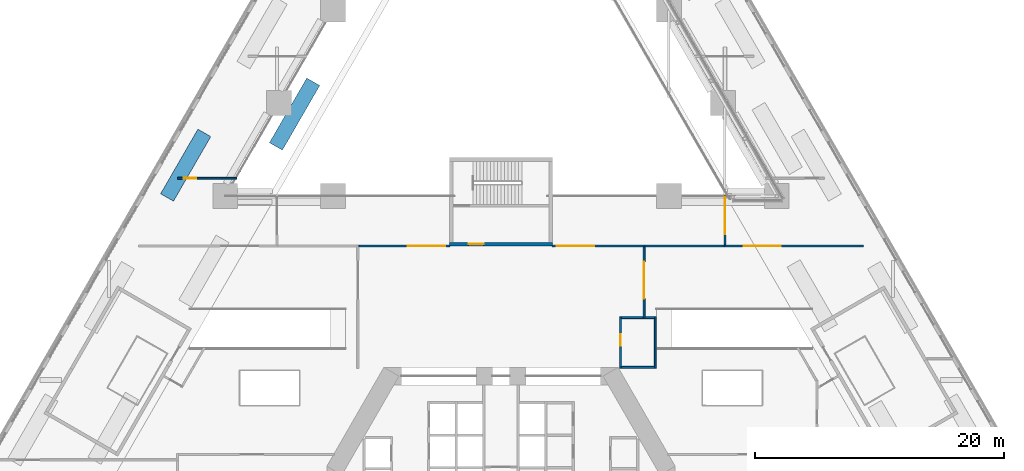
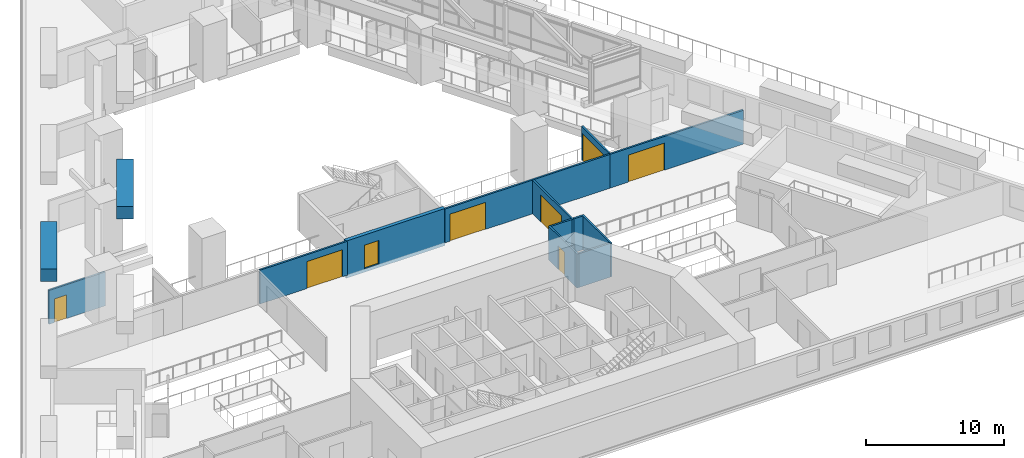
# One storey, part 10 of 19: 15 walls, 8 doors, 8 openings.
"""IFC4 building model written with IfcOpenShell, lengths in metres."""

import ifcopenshell
import ifcopenshell.guid

model = None  # the IFC model being written
_history = None  # IfcOwnerHistory: only IFC2X3 demands one
_inside = {}  # id of a spatial element -> (the spatial element, [elements in it])
_under = {}  # id of a project, library or spatial element -> (it, [spatial elements below it])
_declared = {}  # id of a project -> (the project, [libraries it declares])
_typed = {}  # id of a type object -> (the type object, [elements of that type])
_made_of = {}  # id of a material, layer set ... -> (it, [elements and type objects made of it])


def new_model(schema):
    """Start an empty IFC model of exactly this schema.

    Asked for "IFC4X3", IfcOpenShell would pick the latest addendum, in which some entities
    have other attributes; the version numbers below select the first issue.
    IFC2X3 requires an IfcOwnerHistory on every rooted entity: one is made here for all.
    """
    global model, _history
    if schema == "IFC4X3":
        model = ifcopenshell.file(schema_version=(4, 3, 0, 0))
    else:
        model = ifcopenshell.file(schema=schema)
    _inside.clear()
    _under.clear()
    _declared.clear()
    _typed.clear()
    _made_of.clear()
    _history = None
    if model.schema == "IFC2X3":
        org = make("IfcOrganization", Name="unknown")
        user = make(
            "IfcPersonAndOrganization",
            ThePerson=make("IfcPerson", FamilyName="unknown"),
            TheOrganization=org,
        )
        app = make(
            "IfcApplication",
            ApplicationDeveloper=org,
            Version="unknown",
            ApplicationFullName="unknown",
            ApplicationIdentifier="unknown",
        )
        _history = make(
            "IfcOwnerHistory",
            OwningUser=user,
            OwningApplication=app,
            ChangeAction="ADDED",
            CreationDate=0,
        )
    return model


def make(cls, **values):
    """One entity of the class cls with the attributes given. An attribute that is None is left unset."""
    return model.create_entity(
        cls, **{name: value for name, value in values.items() if value is not None}
    )


def rooted(cls, **values):
    """An entity with a GlobalId (a new one), such as an element, a storey or a relation."""
    return make(cls, GlobalId=ifcopenshell.guid.new(), OwnerHistory=_history, **values)


def si_unit(unit_type, name, prefix=None):
    """IfcSIUnit, for example si_unit("LENGTHUNIT", "METRE", prefix="MILLI")."""
    return make("IfcSIUnit", UnitType=unit_type, Prefix=prefix, Name=name)


def assignment(units):
    """IfcUnitAssignment: the units of a project."""
    return None if units is None else make("IfcUnitAssignment", Units=units)


def point(xyz):
    """IfcCartesianPoint."""
    return None if xyz is None else make("IfcCartesianPoint", Coordinates=xyz)


def direction(xyz):
    """IfcDirection."""
    return None if xyz is None else make("IfcDirection", DirectionRatios=xyz)


def frame(location, z_axis=None, x_axis=None):
    """IfcAxis2Placement3D, a coordinate frame: its origin and axes. An axis left out is left unset."""
    return make(
        "IfcAxis2Placement3D",
        Location=point(location),
        Axis=direction(z_axis),
        RefDirection=direction(x_axis),
    )


def frame_2d(location, x_axis=None):
    """IfcAxis2Placement2D, a coordinate frame in the plane: its origin and x axis."""
    return make(
        "IfcAxis2Placement2D", Location=point(location), RefDirection=direction(x_axis)
    )


def origin():
    """The frame at (0, 0, 0) with its axes left unset."""
    return frame((0.0, 0.0, 0.0))


def place(relative_to, where):
    """IfcLocalPlacement: puts the frame where relative to a parent placement (None: the world)."""
    return make(
        "IfcLocalPlacement", PlacementRelTo=relative_to, RelativePlacement=where
    )


def context(
    kind, dimensions, precision=None, world=None, true_north=None, identifier=None
):
    """IfcGeometricRepresentationContext, for example the 3D "Model" context."""
    return make(
        "IfcGeometricRepresentationContext",
        ContextIdentifier=identifier,
        ContextType=kind,
        CoordinateSpaceDimension=dimensions,
        Precision=precision,
        WorldCoordinateSystem=world,
        TrueNorth=true_north,
    )


def subcontext(parent, identifier, kind, view, scale=None):
    """IfcGeometricRepresentationSubContext, for example "Body" below "Model"."""
    return make(
        "IfcGeometricRepresentationSubContext",
        ContextIdentifier=identifier,
        ContextType=kind,
        ParentContext=parent,
        TargetScale=scale,
        TargetView=view,
    )


def project(units=None, contexts=None):
    """IfcProject with its units and contexts."""
    return rooted(
        "IfcProject",
        Name="project",
        RepresentationContexts=contexts,
        UnitsInContext=assignment(units),
    )


def spatial(cls, under=None, at=None, **own):
    """A site, building, storey or space (cls), placed at a placement, below another one or the project."""
    s = rooted(cls, ObjectPlacement=at, **own)
    if under is not None:
        _under.setdefault(under.id(), (under, []))[1].append(s)
    return s


def polyline(points):
    """IfcPolyline through the points."""
    return make("IfcPolyline", Points=[point(p) for p in points])


def profile(cls, at=None, kind="AREA", **sizes):
    """A parametric profile (cls). Its sizes go by their IFC names, for example OverallWidth=200.0."""
    return make(cls, ProfileType=kind, Position=at, **sizes)


def rectangle(**sizes):
    """IfcRectangleProfileDef."""
    return profile("IfcRectangleProfileDef", **sizes)


def outline(outer, holes=None, kind="AREA"):
    """IfcArbitraryClosedProfileDef: a profile drawn as a closed curve; with holes, ...WithVoids."""
    if holes is None:
        return make("IfcArbitraryClosedProfileDef", ProfileType=kind, OuterCurve=outer)
    return make(
        "IfcArbitraryProfileDefWithVoids",
        ProfileType=kind,
        OuterCurve=outer,
        InnerCurves=holes,
    )


def extrude(swept, where, along, depth):
    """IfcExtrudedAreaSolid: the profile swept, set in the frame where, extruded along a direction by depth."""
    return make(
        "IfcExtrudedAreaSolid",
        SweptArea=swept,
        Position=where,
        ExtrudedDirection=direction(along),
        Depth=depth,
    )


def shape(context_of_items, identifier, shape_type, items):
    """IfcShapeRepresentation: the items that make up one representation, for example the "Body"."""
    return make(
        "IfcShapeRepresentation",
        ContextOfItems=context_of_items,
        RepresentationIdentifier=identifier,
        RepresentationType=shape_type,
        Items=items,
    )


def material(Name=None, Category=None):
    """IfcMaterial."""
    return make("IfcMaterial", Name=Name, Category=Category)


def layer(
    of_material, thickness, ventilated=None, Name=None, Category=None, Priority=None
):
    """IfcMaterialLayer: one layer of a wall or slab, of a material (None: an air gap)."""
    return make(
        "IfcMaterialLayer",
        Material=of_material,
        LayerThickness=thickness,
        IsVentilated=ventilated,
        Name=Name,
        Category=Category,
        Priority=Priority,
    )


def layer_set(layers, Name=None):
    """IfcMaterialLayerSet."""
    return make("IfcMaterialLayerSet", MaterialLayers=layers, LayerSetName=Name)


def made_of(thing, what):
    """Note that an element or type object is made of a material, layer set ...; save() writes the relation."""
    if what is not None:
        _made_of.setdefault(what.id(), (what, []))[1].append(thing)
    return thing


def type_object(cls, material=None, **own):
    """A type object (cls), such as IfcWallType, which elements share."""
    return made_of(rooted(cls, **own), material)


def element(
    cls,
    number,
    at=None,
    inside=None,
    cuts=None,
    type_object=None,
    material=None,
    context=None,
    identifier="Body",
    shape_type=None,
    held_by="IfcProductDefinitionShape",
    body=None,
    shapes=None,
    **own,
):
    """One element of the class cls, such as IfcWall. Its Tag is "e" and its number.

    at: its placement. inside: the storey or other place that contains it. cuts: it is an
    opening in that element (IfcRelVoidsElement). A single representation is given by context,
    identifier, shape_type and body (its items); several are given by shapes. held_by: the class
    of the entity that holds the representations. save() writes the other relations.
    """
    e = rooted(cls, Tag="e%d" % number, ObjectPlacement=at, **own)
    if body is not None:
        shapes = [shape(context, identifier, shape_type, body)]
    if shapes is not None:
        e.Representation = make(held_by, Representations=shapes)
    if inside is not None:
        _inside.setdefault(inside.id(), (inside, []))[1].append(e)
    if cuts is not None:
        rooted(
            "IfcRelVoidsElement", RelatingBuildingElement=cuts, RelatedOpeningElement=e
        )
    if type_object is not None:
        _typed.setdefault(type_object.id(), (type_object, []))[1].append(e)
    return made_of(e, material)


def fill(opening, filler):
    """IfcRelFillsElement: the door or window that sits in an opening."""
    return rooted(
        "IfcRelFillsElement",
        RelatingOpeningElement=opening,
        RelatedBuildingElement=filler,
    )


def aggregate(whole, parts):
    """IfcRelAggregates: a whole, such as a stair, and the parts it consists of."""
    return rooted("IfcRelAggregates", RelatingObject=whole, RelatedObjects=parts)


def save(model, path):
    """Write the relations noted so far, then the file.

    IfcRelAggregates (storeys below a building ...), IfcRelContainedInSpatialStructure (elements
    in a storey), IfcRelDefinesByType, IfcRelAssociatesMaterial and IfcRelDeclares: one each for
    every whole, place, type object, material and project.
    """
    for whole, parts in _under.values():
        aggregate(whole, parts)
    for where, things in _inside.values():
        rooted(
            "IfcRelContainedInSpatialStructure",
            RelatedElements=things,
            RelatingStructure=where,
        )
    for kind, things in _typed.values():
        rooted("IfcRelDefinesByType", RelatedObjects=things, RelatingType=kind)
    for what, things in _made_of.values():
        rooted("IfcRelAssociatesMaterial", RelatedObjects=things, RelatingMaterial=what)
    for by, libraries in _declared.values():
        rooted("IfcRelDeclares", RelatingContext=by, RelatedDefinitions=libraries)
    model.write(path)


model = new_model("IFC4")

# Units and contexts
model_context = context("Model", 3, precision=1e-05, world=origin(), true_north=direction((0.0, 1.0)))
body_context = subcontext(model_context, "Body", "Model", "MODEL_VIEW")
ifc_project = project(units=[si_unit("LENGTHUNIT", "METRE"), si_unit("AREAUNIT", "SQUARE_METRE"), si_unit("VOLUMEUNIT", "CUBIC_METRE"), si_unit("PLANEANGLEUNIT", "RADIAN"), si_unit("MASSUNIT", "GRAM", prefix="KILO")], contexts=[model_context])

# Site, building, storey
site_placement = place(None, origin())
site = spatial("IfcSite", under=ifc_project, at=site_placement, CompositionType="ELEMENT")
building_placement = place(site_placement, origin())
building = spatial("IfcBuilding", under=site, at=building_placement, Name="Fogline Exchange Tower", CompositionType="ELEMENT")
storey_placement = place(building_placement, frame((0.0, 0.0, 20.0)))
storey = spatial("IfcBuildingStorey", under=building, at=storey_placement, Name="L03", CompositionType="ELEMENT", Elevation=20.0)

# Wall, opening, door
ifc_material_1 = material(Name="Concrete C40", Category="concrete")
ifc_layer_1 = layer(ifc_material_1, 0.300048828125)
ifc_layer_set_1 = layer_set([ifc_layer_1], Name="CW30")
wall_type_1 = type_object("IfcWallType", Name="CW30", PredefinedType="SOLIDWALL", material=ifc_layer_set_1)
wall_1_placement = place(storey_placement, frame((-4.14990234375, 28.906982421875, -0.300048828125), z_axis=(0.0, 0.0, 1.0), x_axis=(1.0, 0.0, 0.0)))
wall_1 = element("IfcWall", 1, at=wall_1_placement, inside=storey, type_object=wall_type_1, Name="Stair enclosure wall ST3", PredefinedType="SOLIDWALL", context=body_context, shape_type="SweptSolid", body=[
    extrude(rectangle(XDim=8.2998046875, YDim=0.300048828125, at=frame_2d((4.14990234375, 0.0))), origin(), (0.0, 0.0, 1.0), 3.300048828125),
])
opening_1_placement = place(wall_1_placement, frame((1.550048828125, 0.0, 0.300048828125)))
opening_1 = element("IfcOpeningElement", 2, at=opening_1_placement, cuts=wall_1, Name="Opening P03-C021", PredefinedType="OPENING", context=body_context, shape_type="SweptSolid", body=[
    extrude(rectangle(XDim=1.199951171875, YDim=2.10009765625, at=frame_2d((0.60009765625, 1.050048828125))), frame((0.0, 0.16015625, 0.0), z_axis=(0.0, -1.0, 0.0), x_axis=(1.0, 0.0, 0.0)), (0.0, 0.0, 1.0), 0.320068359375),
])
ifc_material_2 = material(Name="Steel and timber fire door", Category="steel")
door_type_1 = type_object("IfcDoorType", Name="D-FR1", OperationType="SINGLE_SWING_RIGHT", PredefinedType="DOOR", material=ifc_material_2)
door_1_placement = place(opening_1_placement, origin())
door_1 = element("IfcDoor", 3, at=door_1_placement, inside=storey, type_object=door_type_1, Name="Front room door ST3", OperationType="SINGLE_SWING_LEFT", OverallHeight=2.10009765625, OverallWidth=1.199951171875, PredefinedType="DOOR", context=body_context, shape_type="SweptSolid", body=[
    extrude(rectangle(XDim=1.199951171875, YDim=2.10009765625, at=frame_2d((0.60009765625, 1.050048828125))), frame((0.0, 0.02490234375, 0.0), z_axis=(0.0, -1.0, 0.0), x_axis=(1.0, 0.0, 0.0)), (0.0, 0.0, 1.0), 0.050048828125),
])
fill(opening_1, door_1)

# Walls
ifc_material_3 = material(Name="Concrete C30", Category="concrete")
ifc_layer_2 = layer(ifc_material_3, 0.199951171875)
ifc_layer_set_2 = layer_set([ifc_layer_2], Name="PL1")
wall_type_2 = type_object("IfcWallType", Name="PL1", PredefinedType="USERDEFINED", material=ifc_layer_set_2)
wall_2_placement = place(storey_placement, frame((0.0, 0.0, 5.0)))
element("IfcWall", 4, at=wall_2_placement, inside=storey, type_object=wall_type_2, Name="PLANTER podium terrace", ObjectType="PLANTER", PredefinedType="USERDEFINED", context=body_context, shape_type="SweptSolid", body=[
    extrude(outline(polyline([(-27.35791015625, 32.952880859375), (-26.31884765625, 32.35302734375), (-23.31884765625, 37.549072265625), (-24.35791015625, 38.149169921875), (-27.35791015625, 32.952880859375)])), origin(), (0.0, 0.0, 1.0), 1.10009765625),
])
wall_3_placement = place(storey_placement, frame((0.0, 0.0, 5.0)))
element("IfcWall", 5, at=wall_3_placement, inside=storey, type_object=wall_type_2, Name="PLANTER podium terrace", ObjectType="PLANTER", PredefinedType="USERDEFINED", context=body_context, shape_type="SweptSolid", body=[
    extrude(outline(polyline([(-14.568115234375, 41.6533203125), (-15.607421875, 42.253173828125), (-18.607421875, 37.056884765625), (-17.568115234375, 36.45703125), (-14.568115234375, 41.6533203125)])), origin(), (0.0, 0.0, 1.0), 1.10009765625),
])

# Wall, opening, door
ifc_material_4 = material(Name="Plasterboard on steel stud", Category="steel")
ifc_layer_3 = layer(ifc_material_4, 0.14990234375)
ifc_layer_set_3 = layer_set([ifc_layer_3], Name="PP1")
wall_type_3 = type_object("IfcWallType", Name="PP1", PredefinedType="PARTITIONING", material=ifc_layer_set_3)
wall_4_placement = place(storey_placement, frame((9.60009765625, 18.925048828125, 0.0), z_axis=(0.0, 0.0, 1.0), x_axis=(0.0, 1.0, 0.0)))
wall_4 = element("IfcWall", 6, at=wall_4_placement, inside=storey, type_object=wall_type_3, Name="PP1 partition", PredefinedType="PARTITIONING", context=body_context, shape_type="SweptSolid", body=[
    extrude(rectangle(XDim=4.14990234375, YDim=0.14990234375, at=frame_2d((2.074951171875, 0.0))), origin(), (0.0, 0.0, 1.0), 3.0),
])
opening_2_placement = place(wall_4_placement, frame((1.824951171875, 0.0, 0.0)))
opening_2 = element("IfcOpeningElement", 7, at=opening_2_placement, cuts=wall_4, Name="Opening P03-D007", PredefinedType="OPENING", context=body_context, shape_type="SweptSolid", body=[
    extrude(rectangle(XDim=0.89990234375, YDim=2.10009765625, at=frame_2d((0.449951171875, 1.050048828125))), frame((0.0, 0.0849609375, 0.0), z_axis=(0.0, -1.0, 0.0), x_axis=(1.0, 0.0, 0.0)), (0.0, 0.0, 1.0), 0.169921875),
])
ifc_material_5 = material(Name="Timber", Category="wood")
door_type_2 = type_object("IfcDoorType", Name="PD2", OperationType="SINGLE_SWING_LEFT", PredefinedType="DOOR", material=ifc_material_5)
door_2_placement = place(opening_2_placement, frame((0.89990234375, 0.0, 0.0), z_axis=(0.0, 0.0, 1.0), x_axis=(-1.0, 0.0, 0.0)))
door_2 = element("IfcDoor", 8, at=door_2_placement, inside=storey, type_object=door_type_2, Name="P03-D007", OperationType="SINGLE_SWING_LEFT", OverallHeight=2.10009765625, OverallWidth=0.89990234375, PredefinedType="DOOR", context=body_context, shape_type="SweptSolid", body=[
    extrude(rectangle(XDim=0.89990234375, YDim=2.10009765625, at=frame_2d((0.449951171875, 1.050048828125))), frame((0.0, 0.02490234375, 0.0), z_axis=(0.0, -1.0, 0.0), x_axis=(1.0, 0.0, 0.0)), (0.0, 0.0, 1.0), 0.050048828125),
])
fill(opening_2, door_2)

# Walls
wall_5_placement = place(storey_placement, frame((12.324951171875, 19.0, 0.0), z_axis=(0.0, 0.0, 1.0), x_axis=(-1.0, 0.0, 0.0)))
element("IfcWall", 9, at=wall_5_placement, inside=storey, type_object=wall_type_3, Name="PP1 partition", PredefinedType="PARTITIONING", context=body_context, shape_type="SweptSolid", body=[
    extrude(rectangle(XDim=2.64990234375, YDim=0.14990234375, at=frame_2d((1.324951171875, 0.0))), origin(), (0.0, 0.0, 1.0), 3.0),
])
wall_6_placement = place(storey_placement, frame((9.675048828125, 23.0, 0.0), z_axis=(0.0, 0.0, 1.0), x_axis=(1.0, 0.0, 0.0)))
element("IfcWall", 10, at=wall_6_placement, inside=storey, type_object=wall_type_3, Name="PP1 partition", PredefinedType="PARTITIONING", context=body_context, shape_type="SweptSolid", body=[
    extrude(rectangle(XDim=1.75, YDim=0.14990234375, at=frame_2d((0.875, 0.0))), origin(), (0.0, 0.0, 1.0), 3.0),
])
wall_7_placement = place(storey_placement, frame((11.574951171875, 23.0, 0.0), z_axis=(0.0, 0.0, 1.0), x_axis=(1.0, 0.0, 0.0)))
element("IfcWall", 11, at=wall_7_placement, inside=storey, type_object=wall_type_3, Name="PP1 partition", PredefinedType="PARTITIONING", context=body_context, shape_type="SweptSolid", body=[
    extrude(rectangle(XDim=0.75, YDim=0.14990234375, at=frame_2d((0.375, 0.0))), origin(), (0.0, 0.0, 1.0), 3.0),
])
wall_8_placement = place(storey_placement, frame((12.39990234375, 23.074951171875, 0.0), z_axis=(0.0, 0.0, 1.0), x_axis=(0.0, -1.0, 0.0)))
element("IfcWall", 12, at=wall_8_placement, inside=storey, type_object=wall_type_3, Name="PP1 partition", PredefinedType="PARTITIONING", context=body_context, shape_type="SweptSolid", body=[
    extrude(rectangle(XDim=4.14990234375, YDim=0.14990234375, at=frame_2d((2.074951171875, 0.0))), origin(), (0.0, 0.0, 1.0), 3.0),
])

# Wall, opening, door
wall_9_placement = place(storey_placement, frame((11.5, 28.68505859375, 0.0), z_axis=(0.0, 0.0, 1.0), x_axis=(0.0, -1.0, 0.0)))
wall_9 = element("IfcWall", 13, at=wall_9_placement, inside=storey, type_object=wall_type_3, Name="PP1 partition", PredefinedType="PARTITIONING", context=body_context, shape_type="SweptSolid", body=[
    extrude(rectangle(XDim=5.760009765625, YDim=0.14990234375, at=frame_2d((2.8798828125, 0.0))), origin(), (0.0, 0.0, 1.0), 3.0),
])
opening_3_placement = place(wall_9_placement, frame((1.18505859375, 0.0, 0.0)))
opening_3 = element("IfcOpeningElement", 14, at=opening_3_placement, cuts=wall_9, Name="Opening P03-D019", PredefinedType="OPENING", context=body_context, shape_type="SweptSolid", body=[
    extrude(rectangle(XDim=3.0, YDim=2.39990234375, at=frame_2d((1.5, 1.199951171875))), frame((0.0, 0.0849609375, 0.0), z_axis=(0.0, -1.0, 0.0), x_axis=(1.0, 0.0, 0.0)), (0.0, 0.0, 1.0), 0.169921875),
])
ifc_material_6 = material(Name="Steel Q235B", Category="steel")
door_type_3 = type_object("IfcDoorType", Name="PD13", OperationType="DOUBLE_DOOR_SINGLE_SWING", PredefinedType="DOOR", material=ifc_material_6)
door_3_placement = place(opening_3_placement, origin())
door_3 = element("IfcDoor", 15, at=door_3_placement, inside=storey, type_object=door_type_3, Name="P03-D019", OperationType="DOUBLE_DOOR_SINGLE_SWING", OverallHeight=2.39990234375, OverallWidth=3.0, PredefinedType="DOOR", context=body_context, shape_type="SweptSolid", body=[
    extrude(rectangle(XDim=3.0, YDim=2.39990234375, at=frame_2d((1.5, 1.199951171875))), frame((0.0, 0.02490234375, 0.0), z_axis=(0.0, -1.0, 0.0), x_axis=(1.0, 0.0, 0.0)), (0.0, 0.0, 1.0), 0.050048828125),
])
fill(opening_3, door_3)

wall_10_placement = place(storey_placement, frame((-11.425048828125, 28.760009765625, 0.0), z_axis=(0.0, 0.0, 1.0), x_axis=(1.0, 0.0, 0.0)))
wall_10 = element("IfcWall", 16, at=wall_10_placement, inside=storey, type_object=wall_type_3, Name="PP1 partition", PredefinedType="PARTITIONING", context=body_context, shape_type="SweptSolid", body=[
    extrude(rectangle(XDim=7.320068359375, YDim=0.14990234375, at=frame_2d((3.66015625, 0.0))), origin(), (0.0, 0.0, 1.0), 3.0),
])
opening_4_placement = place(wall_10_placement, frame((3.925048828125, 0.0, 0.0)))
opening_4 = element("IfcOpeningElement", 17, at=opening_4_placement, cuts=wall_10, Name="Opening P03-D030", PredefinedType="OPENING", context=body_context, shape_type="SweptSolid", body=[
    extrude(rectangle(XDim=3.0, YDim=2.39990234375, at=frame_2d((1.5, 1.199951171875))), frame((0.0, 0.0849609375, 0.0), z_axis=(0.0, -1.0, 0.0), x_axis=(1.0, 0.0, 0.0)), (0.0, 0.0, 1.0), 0.169921875),
])
door_4_placement = place(opening_4_placement, origin())
door_4 = element("IfcDoor", 18, at=door_4_placement, inside=storey, type_object=door_type_3, Name="P03-D030", OperationType="DOUBLE_DOOR_SINGLE_SWING", OverallHeight=2.39990234375, OverallWidth=3.0, PredefinedType="DOOR", context=body_context, shape_type="SweptSolid", body=[
    extrude(rectangle(XDim=3.0, YDim=2.39990234375, at=frame_2d((1.5, 1.199951171875))), frame((0.0, 0.02490234375, 0.0), z_axis=(0.0, -1.0, 0.0), x_axis=(1.0, 0.0, 0.0)), (0.0, 0.0, 1.0), 0.050048828125),
])
fill(opening_4, door_4)

wall_11_placement = place(storey_placement, frame((4.10498046875, 28.760009765625, 0.0), z_axis=(0.0, 0.0, 1.0), x_axis=(1.0, 0.0, 0.0)))
wall_11 = element("IfcWall", 19, at=wall_11_placement, inside=storey, type_object=wall_type_3, Name="PP1 partition", PredefinedType="PARTITIONING", context=body_context, shape_type="SweptSolid", body=[
    extrude(rectangle(XDim=7.469970703125, YDim=0.14990234375, at=frame_2d((3.73486328125, 0.0))), origin(), (0.0, 0.0, 1.0), 3.0),
])
opening_5_placement = place(wall_11_placement, frame((0.39501953125, 0.0, 0.0)))
opening_5 = element("IfcOpeningElement", 20, at=opening_5_placement, cuts=wall_11, Name="Opening P03-D031", PredefinedType="OPENING", context=body_context, shape_type="SweptSolid", body=[
    extrude(rectangle(XDim=3.0, YDim=2.39990234375, at=frame_2d((1.5, 1.199951171875))), frame((0.0, 0.0849609375, 0.0), z_axis=(0.0, -1.0, 0.0), x_axis=(1.0, 0.0, 0.0)), (0.0, 0.0, 1.0), 0.169921875),
])
door_5_placement = place(opening_5_placement, origin())
door_5 = element("IfcDoor", 21, at=door_5_placement, inside=storey, type_object=door_type_3, Name="P03-D031", OperationType="DOUBLE_DOOR_SINGLE_SWING", OverallHeight=2.39990234375, OverallWidth=3.0, PredefinedType="DOOR", context=body_context, shape_type="SweptSolid", body=[
    extrude(rectangle(XDim=3.0, YDim=2.39990234375, at=frame_2d((1.5, 1.199951171875))), frame((0.0, 0.02490234375, 0.0), z_axis=(0.0, -1.0, 0.0), x_axis=(1.0, 0.0, 0.0)), (0.0, 0.0, 1.0), 0.050048828125),
])
fill(opening_5, door_5)

# Wall
wall_12_placement = place(storey_placement, frame((11.574951171875, 28.760009765625, 0.0), z_axis=(0.0, 0.0, 1.0), x_axis=(1.0, 0.0, 0.0)))
element("IfcWall", 22, at=wall_12_placement, inside=storey, type_object=wall_type_3, Name="PP1 partition", PredefinedType="PARTITIONING", context=body_context, shape_type="SweptSolid", body=[
    extrude(rectangle(XDim=6.35009765625, YDim=0.14990234375, at=frame_2d((3.175048828125, 0.0))), origin(), (0.0, 0.0, 1.0), 3.0),
])

# Wall, opening, door
wall_13_placement = place(storey_placement, frame((17.925048828125, 28.760009765625, 0.0), z_axis=(0.0, 0.0, 1.0), x_axis=(1.0, 0.0, 0.0)))
wall_13 = element("IfcWall", 23, at=wall_13_placement, inside=storey, type_object=wall_type_3, Name="PP1 partition", PredefinedType="PARTITIONING", context=body_context, shape_type="SweptSolid", body=[
    extrude(rectangle(XDim=11.201416015625, YDim=0.14990234375, at=frame_2d((5.6005859375, 0.0))), origin(), (0.0, 0.0, 1.0), 3.0),
])
opening_6_placement = place(wall_13_placement, frame((1.574951171875, 0.0, 0.0)))
opening_6 = element("IfcOpeningElement", 24, at=opening_6_placement, cuts=wall_13, Name="Opening P03-D029", PredefinedType="OPENING", context=body_context, shape_type="SweptSolid", body=[
    extrude(rectangle(XDim=3.0, YDim=2.39990234375, at=frame_2d((1.5, 1.199951171875))), frame((0.0, 0.0849609375, 0.0), z_axis=(0.0, -1.0, 0.0), x_axis=(1.0, 0.0, 0.0)), (0.0, 0.0, 1.0), 0.169921875),
])
door_6_placement = place(opening_6_placement, origin())
door_6 = element("IfcDoor", 25, at=door_6_placement, inside=storey, type_object=door_type_3, Name="P03-D029", OperationType="DOUBLE_DOOR_SINGLE_SWING", OverallHeight=2.39990234375, OverallWidth=3.0, PredefinedType="DOOR", context=body_context, shape_type="SweptSolid", body=[
    extrude(rectangle(XDim=3.0, YDim=2.39990234375, at=frame_2d((1.5, 1.199951171875))), frame((0.0, 0.02490234375, 0.0), z_axis=(0.0, -1.0, 0.0), x_axis=(1.0, 0.0, 0.0)), (0.0, 0.0, 1.0), 0.050048828125),
])
fill(opening_6, door_6)

wall_14_placement = place(storey_placement, frame((18.0, 28.8349609375, 0.0), z_axis=(0.0, 0.0, 1.0), x_axis=(0.0, 1.0, 0.0)))
wall_14 = element("IfcWall", 26, at=wall_14_placement, inside=storey, type_object=wall_type_3, Name="PP1 partition", PredefinedType="PARTITIONING", context=body_context, shape_type="SweptSolid", body=[
    extrude(rectangle(XDim=4.0, YDim=0.14990234375, at=frame_2d((2.0, 0.0))), origin(), (0.0, 0.0, 1.0), 3.0),
])
opening_7_placement = place(wall_14_placement, frame((0.8798828125, 0.0, 0.0)))
opening_7 = element("IfcOpeningElement", 27, at=opening_7_placement, cuts=wall_14, Name="Opening P03-D027", PredefinedType="OPENING", context=body_context, shape_type="SweptSolid", body=[
    extrude(rectangle(XDim=3.0, YDim=2.39990234375, at=frame_2d((1.5, 1.199951171875))), frame((0.0, 0.0849609375, 0.0), z_axis=(0.0, -1.0, 0.0), x_axis=(1.0, 0.0, 0.0)), (0.0, 0.0, 1.0), 0.169921875),
])
door_7_placement = place(opening_7_placement, frame((3.0, 0.0, 0.0), z_axis=(0.0, 0.0, 1.0), x_axis=(-1.0, 0.0, 0.0)))
door_7 = element("IfcDoor", 28, at=door_7_placement, inside=storey, type_object=door_type_3, Name="P03-D027", OperationType="DOUBLE_DOOR_SINGLE_SWING", OverallHeight=2.39990234375, OverallWidth=3.0, PredefinedType="DOOR", context=body_context, shape_type="SweptSolid", body=[
    extrude(rectangle(XDim=3.0, YDim=2.39990234375, at=frame_2d((1.5, 1.199951171875))), frame((0.0, 0.02490234375, 0.0), z_axis=(0.0, -1.0, 0.0), x_axis=(1.0, 0.0, 0.0)), (0.0, 0.0, 1.0), 0.050048828125),
])
fill(opening_7, door_7)

wall_15_placement = place(storey_placement, frame((-25.985595703125, 34.199951171875, 0.0), z_axis=(0.0, 0.0, 1.0), x_axis=(1.0, 0.0, 0.0)))
wall_15 = element("IfcWall", 29, at=wall_15_placement, inside=storey, type_object=wall_type_3, Name="PP1 partition", PredefinedType="PARTITIONING", context=body_context, shape_type="SweptSolid", body=[
    extrude(rectangle(XDim=4.734130859375, YDim=0.14990234375, at=frame_2d((2.3671875, 0.0))), origin(), (0.0, 0.0, 1.0), 3.0),
])
opening_8_placement = place(wall_15_placement, frame((0.485595703125, 0.0, 0.0)))
opening_8 = element("IfcOpeningElement", 30, at=opening_8_placement, cuts=wall_15, Name="Opening P03-D032", PredefinedType="OPENING", context=body_context, shape_type="SweptSolid", body=[
    extrude(rectangle(XDim=1.0, YDim=2.10009765625, at=frame_2d((0.5, 1.050048828125))), frame((0.0, 0.0849609375, 0.0), z_axis=(0.0, -1.0, 0.0), x_axis=(1.0, 0.0, 0.0)), (0.0, 0.0, 1.0), 0.169921875),
])
door_type_4 = type_object("IfcDoorType", Name="PD1", OperationType="SINGLE_SWING_LEFT", PredefinedType="DOOR", material=ifc_material_5)
door_8_placement = place(opening_8_placement, origin())
door_8 = element("IfcDoor", 31, at=door_8_placement, inside=storey, type_object=door_type_4, Name="P03-D032", OperationType="SINGLE_SWING_LEFT", OverallHeight=2.10009765625, OverallWidth=1.0, PredefinedType="DOOR", context=body_context, shape_type="SweptSolid", body=[
    extrude(rectangle(XDim=1.0, YDim=2.10009765625, at=frame_2d((0.5, 1.050048828125))), frame((0.0, 0.02490234375, 0.0), z_axis=(0.0, -1.0, 0.0), x_axis=(1.0, 0.0, 0.0)), (0.0, 0.0, 1.0), 0.050048828125),
])
fill(opening_8, door_8)

save(model, "model.ifc")
